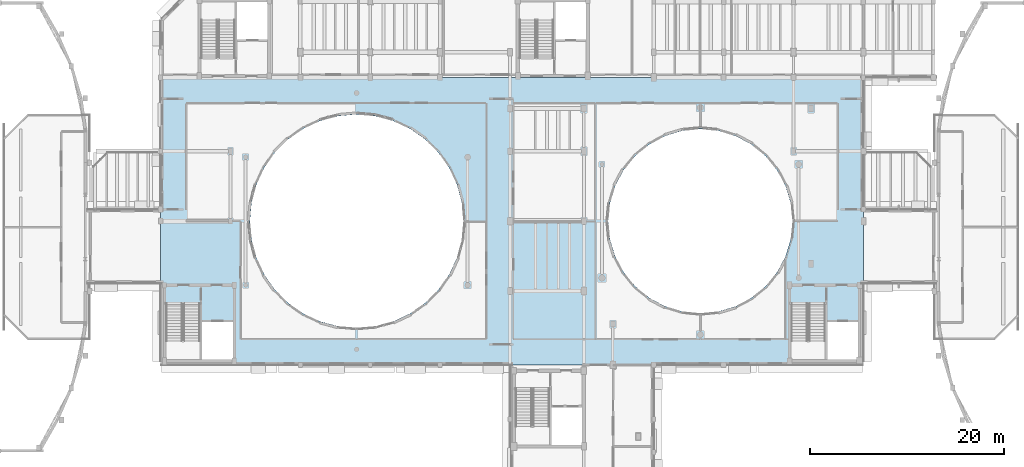
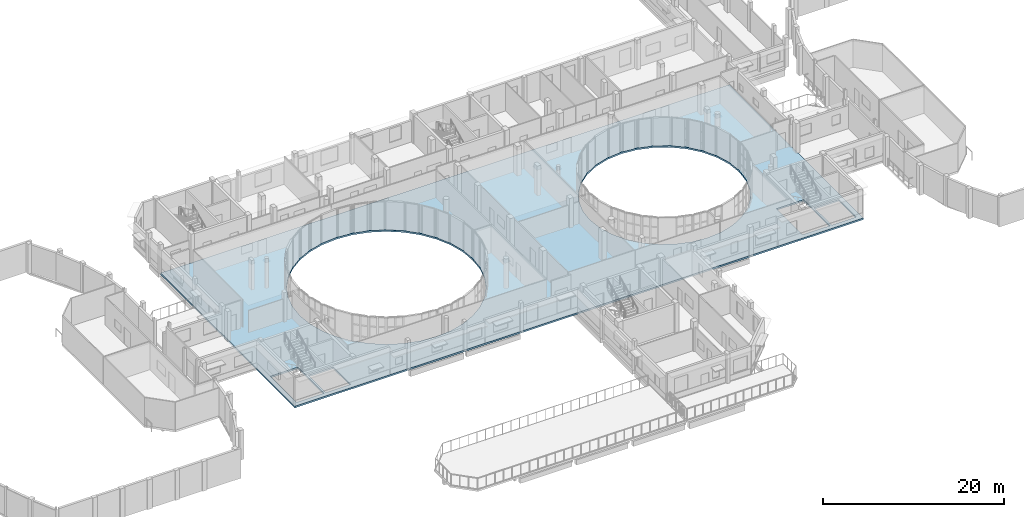
# One storey, part 58 of 92: 1 slab.
"""IFC4 building model written with IfcOpenShell, lengths in metres."""

from ifc_helpers import new_model, si_unit, direction, frame, origin, place, context, subcontext, project, spatial, polyline, outline, extrude, material, layer, layer_set, type_object, element, save


model = new_model("IFC4")

# Units and contexts
model_context = context("Model", 3, precision=1e-05, world=origin(), true_north=direction((0.0, 1.0)))
body_context = subcontext(model_context, "Body", "Model", "MODEL_VIEW")
ifc_project = project(units=[si_unit("LENGTHUNIT", "METRE"), si_unit("AREAUNIT", "SQUARE_METRE"), si_unit("VOLUMEUNIT", "CUBIC_METRE"), si_unit("PLANEANGLEUNIT", "RADIAN"), si_unit("MASSUNIT", "GRAM", prefix="KILO")], contexts=[model_context])

# Site, building, storey
site_placement = place(None, origin())
site = spatial("IfcSite", under=ifc_project, at=site_placement, CompositionType="ELEMENT")
building_placement = place(site_placement, origin())
building = spatial("IfcBuilding", under=site, at=building_placement, Name="Kelanivale Promenade Academy", CompositionType="ELEMENT")
storey_placement = place(building_placement, frame((0.0, 0.0, 8.199951171875)))
storey = spatial("IfcBuildingStorey", under=building, at=storey_placement, Name="L02", CompositionType="ELEMENT", Elevation=8.199951171875)

# Slab
ifc_material = material(Name="Concrete C35/45", Category="concrete")
ifc_layer = layer(ifc_material, 0.219970703125)
ifc_layer_set = layer_set([ifc_layer], Name="Concrete C35/45")
slab_type = type_object("IfcSlabType", Name="FS-01 Slab 220mm", PredefinedType="FLOOR", material=ifc_layer_set)
slab_placement = place(storey_placement, frame((0.0, 0.0, -0.219970703125)))
element("IfcSlab", 1, at=slab_placement, inside=storey, type_object=slab_type, Name="L02 structural slab SLB-L02-V4C", PredefinedType="FLOOR", context=body_context, shape_type="SweptSolid", body=[
    extrude(outline(polyline([(115.60009765625, 42.0), (115.60009765625, 71.60009765625), (43.199951171875, 71.60009765625), (43.199951171875, 42.0), (115.60009765625, 42.0)]), holes=[polyline([(115.034912109375, 42.56494140625), (111.885009765625, 42.56494140625), (111.885009765625, 46.425048828125), (115.034912109375, 46.425048828125), (115.034912109375, 42.56494140625)]), polyline([(111.6650390625, 48.344970703125), (111.6650390625, 42.56494140625), (108.1650390625, 42.56494140625), (108.1650390625, 48.344970703125), (111.6650390625, 48.344970703125)]), polyline([(95.1650390625, 65.576904296875), (96.947021484375, 66.116943359375), (98.800048828125, 66.300048828125), (100.653076171875, 66.116943359375), (102.43505859375, 65.576904296875), (104.077880859375, 64.698974609375), (105.51806640625, 63.51806640625), (106.698974609375, 62.077880859375), (107.576904296875, 60.43505859375), (108.116943359375, 58.653076171875), (108.300048828125, 56.800048828125), (108.116943359375, 54.947021484375), (107.576904296875, 53.1650390625), (106.698974609375, 51.52197265625), (105.51806640625, 50.08203125), (104.077880859375, 48.90087890625), (102.43505859375, 48.02294921875), (100.653076171875, 47.48291015625), (98.800048828125, 47.300048828125), (96.947021484375, 47.48291015625), (95.1650390625, 48.02294921875), (93.52197265625, 48.90087890625), (92.08203125, 50.08203125), (90.90087890625, 51.52197265625), (90.02294921875, 53.1650390625), (89.48291015625, 54.947021484375), (89.300048828125, 56.800048828125), (89.48291015625, 58.653076171875), (90.02294921875, 60.43505859375), (90.90087890625, 62.077880859375), (92.08203125, 63.51806640625), (93.52197265625, 64.698974609375), (95.1650390625, 65.576904296875)]), polyline([(61.489990234375, 67.633056640625), (63.39990234375, 67.800048828125), (65.31005859375, 67.633056640625), (67.162109375, 67.136962890625), (68.89990234375, 66.325927734375), (70.470947265625, 65.22607421875), (71.825927734375, 63.87109375), (72.926025390625, 62.300048828125), (73.737060546875, 60.56201171875), (74.23291015625, 58.7099609375), (74.39990234375, 56.800048828125), (74.23291015625, 54.889892578125), (73.737060546875, 53.0380859375), (72.926025390625, 51.300048828125), (71.825927734375, 49.72900390625), (70.470947265625, 48.3740234375), (68.89990234375, 47.27392578125), (67.162109375, 46.462890625), (65.31005859375, 45.967041015625), (63.39990234375, 45.800048828125), (61.489990234375, 45.967041015625), (59.637939453125, 46.462890625), (57.89990234375, 47.27392578125), (56.3291015625, 48.3740234375), (54.97412109375, 49.72900390625), (53.8740234375, 51.300048828125), (53.06298828125, 53.0380859375), (52.56689453125, 54.889892578125), (52.39990234375, 56.800048828125), (52.56689453125, 58.7099609375), (53.06298828125, 60.56201171875), (53.8740234375, 62.300048828125), (54.97412109375, 63.87109375), (56.3291015625, 65.22607421875), (57.89990234375, 66.325927734375), (59.637939453125, 67.136962890625), (61.489990234375, 67.633056640625)]), polyline([(47.485107421875, 46.425048828125), (50.635009765625, 46.425048828125), (50.635009765625, 42.56494140625), (47.485107421875, 42.56494140625), (47.485107421875, 46.425048828125)]), polyline([(43.764892578125, 42.56494140625), (43.764892578125, 48.344970703125), (47.264892578125, 48.344970703125), (47.264892578125, 42.56494140625), (43.764892578125, 42.56494140625)])]), origin(), (0.0, 0.0, 1.0), 0.219970703125),
])

save(model, "model.ifc")
